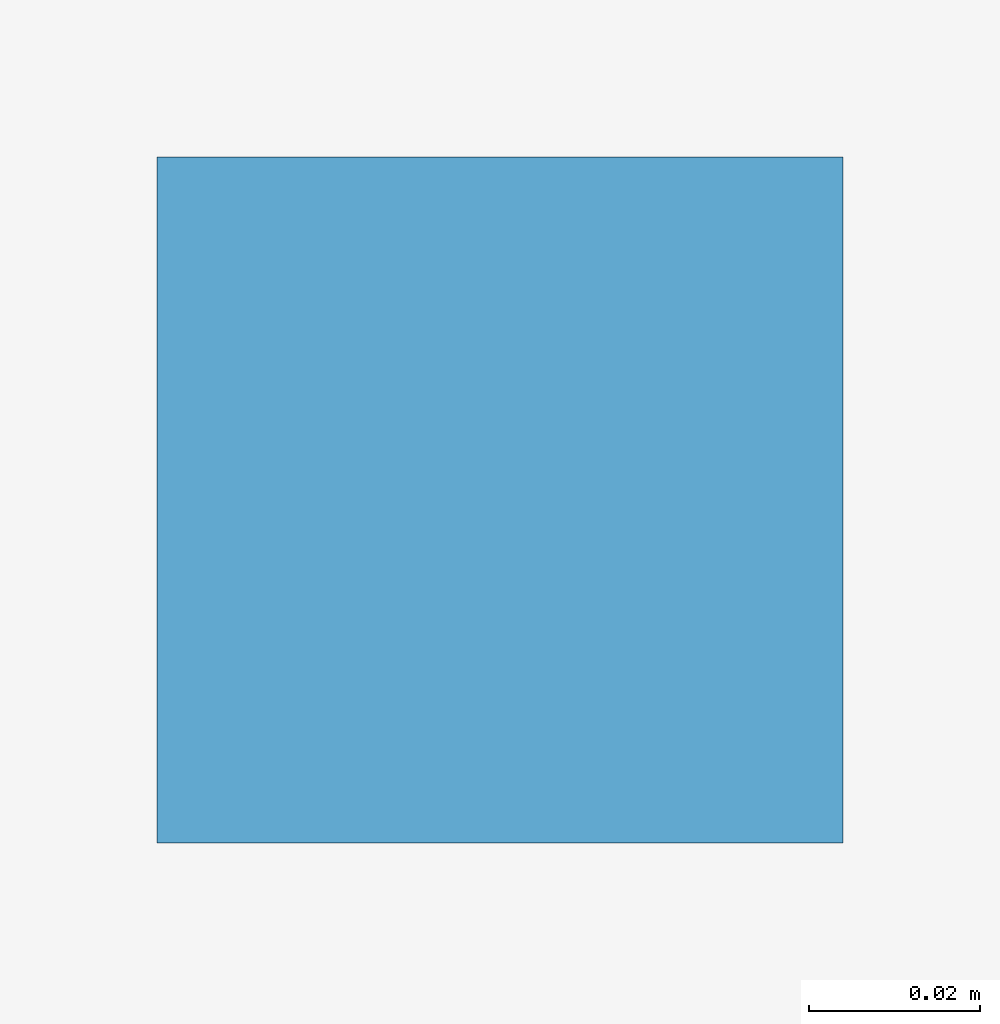
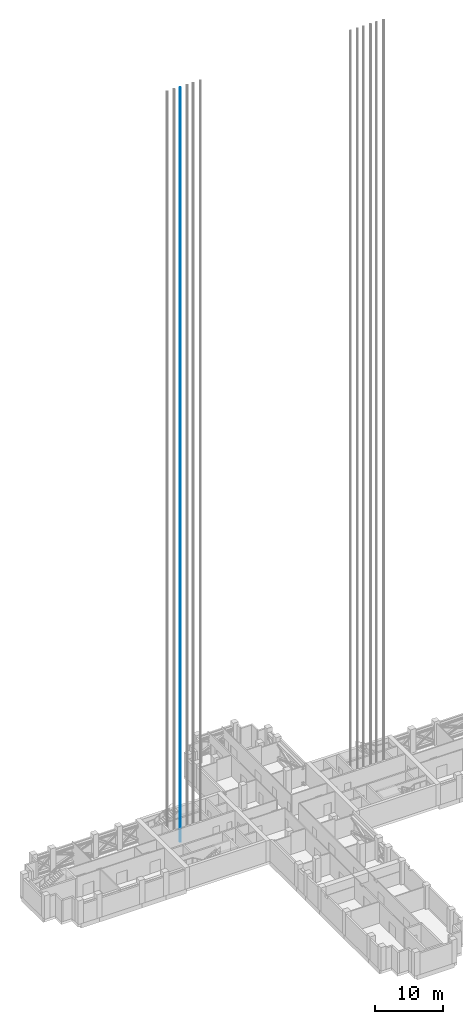
# One storey, part 12 of 22: 1 discrete accessory.
"""IFC4 building model written with IfcOpenShell, lengths in metres."""

from ifc_helpers import new_model, si_unit, direction, frame, origin, origin_2d, place, context, subcontext, project, spatial, rectangle, extrude, material, element, save


model = new_model("IFC4")

# Units and contexts
model_context = context("Model", 3, precision=1e-05, world=origin(), true_north=direction((0.0, 1.0)))
body_context = subcontext(model_context, "Body", "Model", "MODEL_VIEW")
ifc_project = project(units=[si_unit("LENGTHUNIT", "METRE"), si_unit("AREAUNIT", "SQUARE_METRE"), si_unit("VOLUMEUNIT", "CUBIC_METRE"), si_unit("PLANEANGLEUNIT", "RADIAN"), si_unit("MASSUNIT", "GRAM", prefix="KILO")], contexts=[model_context])

# Site, building, storey
site_placement = place(None, origin())
site = spatial("IfcSite", under=ifc_project, at=site_placement, CompositionType="ELEMENT")
building_placement = place(site_placement, origin())
building = spatial("IfcBuilding", under=site, at=building_placement, Name="Fustian Cross Tower", CompositionType="ELEMENT")
storey_placement = place(building_placement, frame((0.0, 0.0, 111.89990234375)))
storey = spatial("IfcBuildingStorey", under=building, at=storey_placement, Name="L35", CompositionType="ELEMENT", Elevation=111.89990234375)

# Discrete accessory
ifc_material = material(Name="Steel S355", Category="steel")
discrete_accessory_placement = place(storey_placement, frame((-16.074951171875, 3.7099609375, 0.0), z_axis=(0.0, 0.0, 1.0), x_axis=(1.0, 0.0, 0.0)))
element("IfcDiscreteAccessory", 1, at=discrete_accessory_placement, inside=storey, material=ifc_material, Name="Lift guide rail HR2W 1", PredefinedType="NOTDEFINED", context=body_context, shape_type="SweptSolid", body=[
    extrude(rectangle(XDim=0.080078125, YDim=0.080078125, at=origin_2d()), origin(), (0.0, 0.0, 1.0), 134.60009765625),
])

save(model, "model.ifc")
